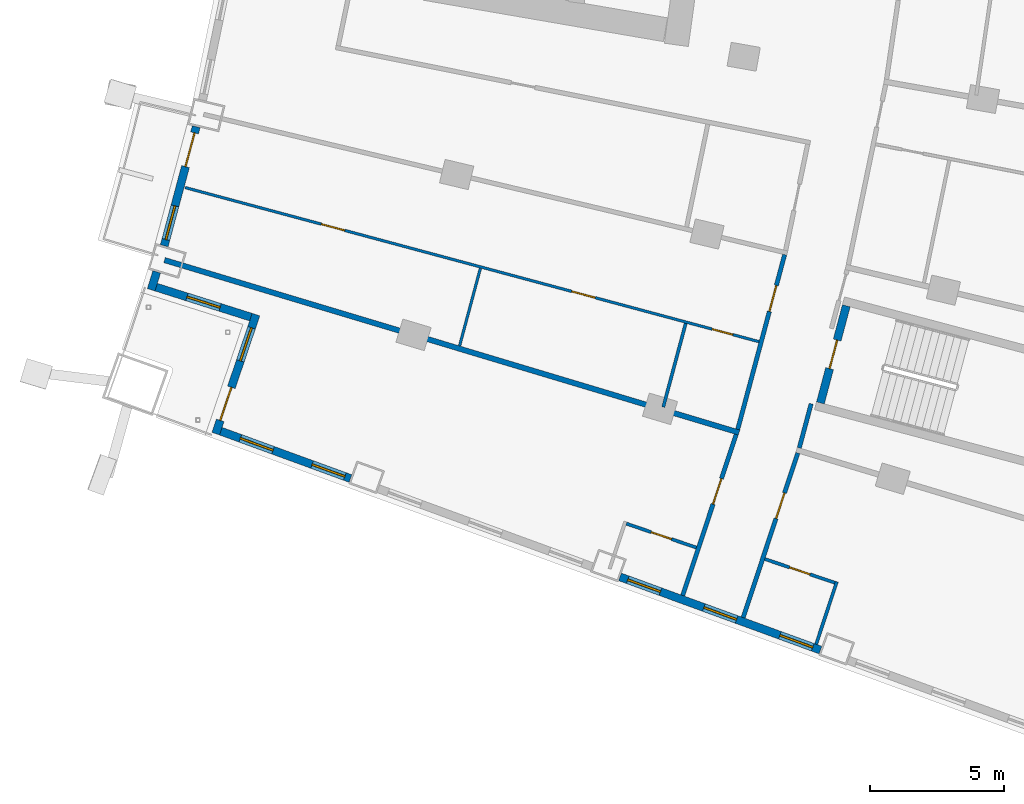
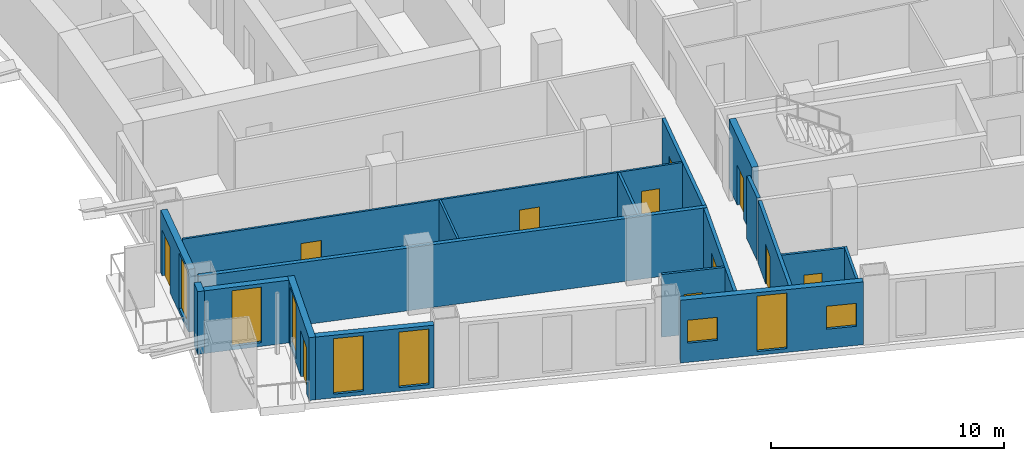
# One storey, part 10 of 22: 18 walls, 11 doors, 8 windows, 19 openings.
"""IFC4 building model written with IfcOpenShell, lengths in metres."""

import ifcopenshell
import ifcopenshell.guid

model = None  # the IFC model being written
_history = None  # IfcOwnerHistory: only IFC2X3 demands one
_inside = {}  # id of a spatial element -> (the spatial element, [elements in it])
_under = {}  # id of a project, library or spatial element -> (it, [spatial elements below it])
_declared = {}  # id of a project -> (the project, [libraries it declares])
_typed = {}  # id of a type object -> (the type object, [elements of that type])
_made_of = {}  # id of a material, layer set ... -> (it, [elements and type objects made of it])


def new_model(schema):
    """Start an empty IFC model of exactly this schema.

    Asked for "IFC4X3", IfcOpenShell would pick the latest addendum, in which some entities
    have other attributes; the version numbers below select the first issue.
    IFC2X3 requires an IfcOwnerHistory on every rooted entity: one is made here for all.
    """
    global model, _history
    if schema == "IFC4X3":
        model = ifcopenshell.file(schema_version=(4, 3, 0, 0))
    else:
        model = ifcopenshell.file(schema=schema)
    _inside.clear()
    _under.clear()
    _declared.clear()
    _typed.clear()
    _made_of.clear()
    _history = None
    if model.schema == "IFC2X3":
        org = make("IfcOrganization", Name="unknown")
        user = make(
            "IfcPersonAndOrganization",
            ThePerson=make("IfcPerson", FamilyName="unknown"),
            TheOrganization=org,
        )
        app = make(
            "IfcApplication",
            ApplicationDeveloper=org,
            Version="unknown",
            ApplicationFullName="unknown",
            ApplicationIdentifier="unknown",
        )
        _history = make(
            "IfcOwnerHistory",
            OwningUser=user,
            OwningApplication=app,
            ChangeAction="ADDED",
            CreationDate=0,
        )
    return model


def make(cls, **values):
    """One entity of the class cls with the attributes given. An attribute that is None is left unset."""
    return model.create_entity(
        cls, **{name: value for name, value in values.items() if value is not None}
    )


def rooted(cls, **values):
    """An entity with a GlobalId (a new one), such as an element, a storey or a relation."""
    return make(cls, GlobalId=ifcopenshell.guid.new(), OwnerHistory=_history, **values)


def si_unit(unit_type, name, prefix=None):
    """IfcSIUnit, for example si_unit("LENGTHUNIT", "METRE", prefix="MILLI")."""
    return make("IfcSIUnit", UnitType=unit_type, Prefix=prefix, Name=name)


def assignment(units):
    """IfcUnitAssignment: the units of a project."""
    return None if units is None else make("IfcUnitAssignment", Units=units)


def point(xyz):
    """IfcCartesianPoint."""
    return None if xyz is None else make("IfcCartesianPoint", Coordinates=xyz)


def direction(xyz):
    """IfcDirection."""
    return None if xyz is None else make("IfcDirection", DirectionRatios=xyz)


def frame(location, z_axis=None, x_axis=None):
    """IfcAxis2Placement3D, a coordinate frame: its origin and axes. An axis left out is left unset."""
    return make(
        "IfcAxis2Placement3D",
        Location=point(location),
        Axis=direction(z_axis),
        RefDirection=direction(x_axis),
    )


def frame_2d(location, x_axis=None):
    """IfcAxis2Placement2D, a coordinate frame in the plane: its origin and x axis."""
    return make(
        "IfcAxis2Placement2D", Location=point(location), RefDirection=direction(x_axis)
    )


def origin():
    """The frame at (0, 0, 0) with its axes left unset."""
    return frame((0.0, 0.0, 0.0))


def place(relative_to, where):
    """IfcLocalPlacement: puts the frame where relative to a parent placement (None: the world)."""
    return make(
        "IfcLocalPlacement", PlacementRelTo=relative_to, RelativePlacement=where
    )


def context(
    kind, dimensions, precision=None, world=None, true_north=None, identifier=None
):
    """IfcGeometricRepresentationContext, for example the 3D "Model" context."""
    return make(
        "IfcGeometricRepresentationContext",
        ContextIdentifier=identifier,
        ContextType=kind,
        CoordinateSpaceDimension=dimensions,
        Precision=precision,
        WorldCoordinateSystem=world,
        TrueNorth=true_north,
    )


def subcontext(parent, identifier, kind, view, scale=None):
    """IfcGeometricRepresentationSubContext, for example "Body" below "Model"."""
    return make(
        "IfcGeometricRepresentationSubContext",
        ContextIdentifier=identifier,
        ContextType=kind,
        ParentContext=parent,
        TargetScale=scale,
        TargetView=view,
    )


def project(units=None, contexts=None):
    """IfcProject with its units and contexts."""
    return rooted(
        "IfcProject",
        Name="project",
        RepresentationContexts=contexts,
        UnitsInContext=assignment(units),
    )


def spatial(cls, under=None, at=None, **own):
    """A site, building, storey or space (cls), placed at a placement, below another one or the project."""
    s = rooted(cls, ObjectPlacement=at, **own)
    if under is not None:
        _under.setdefault(under.id(), (under, []))[1].append(s)
    return s


def profile(cls, at=None, kind="AREA", **sizes):
    """A parametric profile (cls). Its sizes go by their IFC names, for example OverallWidth=200.0."""
    return make(cls, ProfileType=kind, Position=at, **sizes)


def rectangle(**sizes):
    """IfcRectangleProfileDef."""
    return profile("IfcRectangleProfileDef", **sizes)


def extrude(swept, where, along, depth):
    """IfcExtrudedAreaSolid: the profile swept, set in the frame where, extruded along a direction by depth."""
    return make(
        "IfcExtrudedAreaSolid",
        SweptArea=swept,
        Position=where,
        ExtrudedDirection=direction(along),
        Depth=depth,
    )


def shape(context_of_items, identifier, shape_type, items):
    """IfcShapeRepresentation: the items that make up one representation, for example the "Body"."""
    return make(
        "IfcShapeRepresentation",
        ContextOfItems=context_of_items,
        RepresentationIdentifier=identifier,
        RepresentationType=shape_type,
        Items=items,
    )


def material(Name=None, Category=None):
    """IfcMaterial."""
    return make("IfcMaterial", Name=Name, Category=Category)


def layer(
    of_material, thickness, ventilated=None, Name=None, Category=None, Priority=None
):
    """IfcMaterialLayer: one layer of a wall or slab, of a material (None: an air gap)."""
    return make(
        "IfcMaterialLayer",
        Material=of_material,
        LayerThickness=thickness,
        IsVentilated=ventilated,
        Name=Name,
        Category=Category,
        Priority=Priority,
    )


def layer_set(layers, Name=None):
    """IfcMaterialLayerSet."""
    return make("IfcMaterialLayerSet", MaterialLayers=layers, LayerSetName=Name)


def made_of(thing, what):
    """Note that an element or type object is made of a material, layer set ...; save() writes the relation."""
    if what is not None:
        _made_of.setdefault(what.id(), (what, []))[1].append(thing)
    return thing


def type_object(cls, material=None, **own):
    """A type object (cls), such as IfcWallType, which elements share."""
    return made_of(rooted(cls, **own), material)


def element(
    cls,
    number,
    at=None,
    inside=None,
    cuts=None,
    type_object=None,
    material=None,
    context=None,
    identifier="Body",
    shape_type=None,
    held_by="IfcProductDefinitionShape",
    body=None,
    shapes=None,
    **own,
):
    """One element of the class cls, such as IfcWall. Its Tag is "e" and its number.

    at: its placement. inside: the storey or other place that contains it. cuts: it is an
    opening in that element (IfcRelVoidsElement). A single representation is given by context,
    identifier, shape_type and body (its items); several are given by shapes. held_by: the class
    of the entity that holds the representations. save() writes the other relations.
    """
    e = rooted(cls, Tag="e%d" % number, ObjectPlacement=at, **own)
    if body is not None:
        shapes = [shape(context, identifier, shape_type, body)]
    if shapes is not None:
        e.Representation = make(held_by, Representations=shapes)
    if inside is not None:
        _inside.setdefault(inside.id(), (inside, []))[1].append(e)
    if cuts is not None:
        rooted(
            "IfcRelVoidsElement", RelatingBuildingElement=cuts, RelatedOpeningElement=e
        )
    if type_object is not None:
        _typed.setdefault(type_object.id(), (type_object, []))[1].append(e)
    return made_of(e, material)


def fill(opening, filler):
    """IfcRelFillsElement: the door or window that sits in an opening."""
    return rooted(
        "IfcRelFillsElement",
        RelatingOpeningElement=opening,
        RelatedBuildingElement=filler,
    )


def aggregate(whole, parts):
    """IfcRelAggregates: a whole, such as a stair, and the parts it consists of."""
    return rooted("IfcRelAggregates", RelatingObject=whole, RelatedObjects=parts)


def save(model, path):
    """Write the relations noted so far, then the file.

    IfcRelAggregates (storeys below a building ...), IfcRelContainedInSpatialStructure (elements
    in a storey), IfcRelDefinesByType, IfcRelAssociatesMaterial and IfcRelDeclares: one each for
    every whole, place, type object, material and project.
    """
    for whole, parts in _under.values():
        aggregate(whole, parts)
    for where, things in _inside.values():
        rooted(
            "IfcRelContainedInSpatialStructure",
            RelatedElements=things,
            RelatingStructure=where,
        )
    for kind, things in _typed.values():
        rooted("IfcRelDefinesByType", RelatedObjects=things, RelatingType=kind)
    for what, things in _made_of.values():
        rooted("IfcRelAssociatesMaterial", RelatedObjects=things, RelatingMaterial=what)
    for by, libraries in _declared.values():
        rooted("IfcRelDeclares", RelatingContext=by, RelatedDefinitions=libraries)
    model.write(path)


model = new_model("IFC4")

# Units and contexts
model_context = context("Model", 3, precision=1e-05, world=origin(), true_north=direction((0.0, 1.0)))
body_context = subcontext(model_context, "Body", "Model", "MODEL_VIEW")
ifc_project = project(units=[si_unit("LENGTHUNIT", "METRE"), si_unit("AREAUNIT", "SQUARE_METRE"), si_unit("VOLUMEUNIT", "CUBIC_METRE"), si_unit("PLANEANGLEUNIT", "RADIAN"), si_unit("MASSUNIT", "GRAM", prefix="KILO")], contexts=[model_context])

# Site, building, storey
site_placement = place(None, origin())
site = spatial("IfcSite", under=ifc_project, at=site_placement, CompositionType="ELEMENT")
building_placement = place(site_placement, origin())
building = spatial("IfcBuilding", under=site, at=building_placement, Name="Alderwake Tower", CompositionType="ELEMENT")
storey_placement = place(building_placement, frame((0.0, 0.0, 50.0)))
storey = spatial("IfcBuildingStorey", under=building, at=storey_placement, Name="L11", CompositionType="ELEMENT", Elevation=50.0)

# Wall, opening, door
ifc_material_1 = material(Name="Concrete C70/85", Category="concrete")
ifc_layer_1 = layer(ifc_material_1, 0.300048828125)
ifc_layer_set_1 = layer_set([ifc_layer_1], Name="Core wall stair enclosure 300 C70-85")
wall_type_1 = type_object("IfcWallType", Name="Core wall stair enclosure 300 C70-85", PredefinedType="SHEAR", material=ifc_layer_set_1)
wall_1_placement = place(storey_placement, frame((36.89501953125, 27.923828125, 0.0), z_axis=(0.0, 0.0, 1.0), x_axis=(0.257350630826, 0.966318090907, 0.0)))
wall_1 = element("IfcWall", 1, at=wall_1_placement, inside=storey, type_object=wall_type_1, Name="Core wall CW.087", PredefinedType="SHEAR", context=body_context, shape_type="SweptSolid", body=[
    extrude(rectangle(XDim=3.75, YDim=0.300048828125, at=frame_2d((1.875, 0.0))), origin(), (0.0, 0.0, 1.0), 3.60009765625),
])
opening_1_placement = place(wall_1_placement, frame((1.324951171875, 0.0, 0.0)))
opening_1 = element("IfcOpeningElement", 2, at=opening_1_placement, cuts=wall_1, Name="Opening C065", PredefinedType="OPENING", context=body_context, shape_type="SweptSolid", body=[
    extrude(rectangle(XDim=1.10009765625, YDim=2.10009765625, at=frame_2d((0.550048828125, 1.050048828125))), frame((0.0, 0.159912109375, 0.0), z_axis=(0.0, -1.0, 0.0), x_axis=(1.0, 0.0, 0.0)), (0.0, 0.0, 1.0), 0.320068359375),
])
ifc_material_2 = material(Name="Steel-framed fire door leaf", Category="steel")
door_type_1 = type_object("IfcDoorType", Name="Core stair door 1100 fire-rated", OperationType="SINGLE_SWING_LEFT", PredefinedType="DOOR", material=ifc_material_2)
door_1_placement = place(opening_1_placement, origin())
door_1 = element("IfcDoor", 3, at=door_1_placement, inside=storey, type_object=door_type_1, Name="Stair door", OperationType="SINGLE_SWING_LEFT", OverallHeight=2.10009765625, OverallWidth=1.10009765625, PredefinedType="DOOR", context=body_context, shape_type="SweptSolid", body=[
    extrude(rectangle(XDim=1.10009765625, YDim=2.10009765625, at=frame_2d((0.550048828125, 1.050048828125))), frame((0.0, 0.02490234375, 0.0), z_axis=(0.0, -1.0, 0.0), x_axis=(1.0, 0.0, 0.0)), (0.0, 0.0, 1.0), 0.050048828125),
])
fill(opening_1, door_1)

ifc_material_3 = material(Name="Gypsum board on metal studs, rated")
ifc_layer_2 = layer(ifc_material_3, 0.159912109375)
ifc_layer_set_2 = layer_set([ifc_layer_2], Name="Corridor wall 160")
wall_type_2 = type_object("IfcWallType", Name="Corridor wall 160", PredefinedType="PARTITIONING", material=ifc_layer_set_2)
wall_2_placement = place(storey_placement, frame((31.7548828125, 20.739013671875, 0.0), z_axis=(0.0, 0.0, 1.0), x_axis=(0.31554473692, 0.948910701279, 0.0)))
wall_2 = element("IfcWall", 4, at=wall_2_placement, inside=storey, type_object=wall_type_2, Name="WL/L11/W19", PredefinedType="PARTITIONING", context=body_context, shape_type="SweptSolid", body=[
    extrude(rectangle(XDim=6.327392578125, YDim=0.159912109375, at=frame_2d((3.16357421875, 0.0))), origin(), (0.0, 0.0, 1.0), 3.280029296875),
])
opening_2_placement = place(wall_2_placement, frame((3.59130859375, 0.0, 0.0)))
opening_2 = element("IfcOpeningElement", 5, at=opening_2_placement, cuts=wall_2, Name="Opening R02-U11.1", PredefinedType="OPENING", context=body_context, shape_type="SweptSolid", body=[
    extrude(rectangle(XDim=1.0, YDim=2.10009765625, at=frame_2d((0.5, 1.050048828125))), frame((0.0, 0.08984375, 0.0), z_axis=(0.0, -1.0, 0.0), x_axis=(1.0, 0.0, 0.0)), (0.0, 0.0, 1.0), 0.179931640625),
])
ifc_material_4 = material(Name="Solid timber leaf in steel frame", Category="steel")
door_type_2 = type_object("IfcDoorType", Name="Flat entrance door 1000 fire-rated", OperationType="SINGLE_SWING_LEFT", PredefinedType="DOOR", material=ifc_material_4)
door_2_placement = place(opening_2_placement, origin())
door_2 = element("IfcDoor", 6, at=door_2_placement, inside=storey, type_object=door_type_2, Name="DR/L11/U11.1", OperationType="SINGLE_SWING_LEFT", OverallHeight=2.10009765625, OverallWidth=1.0, PredefinedType="DOOR", context=body_context, shape_type="SweptSolid", body=[
    extrude(rectangle(XDim=1.0, YDim=2.10009765625, at=frame_2d((0.5, 1.050048828125))), frame((0.0, 0.02490234375, 0.0), z_axis=(0.0, -1.0, 0.0), x_axis=(1.0, 0.0, 0.0)), (0.0, 0.0, 1.0), 0.050048828125),
])
fill(opening_2, door_2)

wall_3_placement = place(storey_placement, frame((33.808837890625, 26.9345703125, 0.0), z_axis=(0.0, 0.0, 1.0), x_axis=(0.259298911818, 0.965797118618, 0.0)))
wall_3 = element("IfcWall", 7, at=wall_3_placement, inside=storey, type_object=wall_type_2, Name="WL/L11/W20", PredefinedType="PARTITIONING", context=body_context, shape_type="SweptSolid", body=[
    extrude(rectangle(XDim=6.75, YDim=0.159912109375, at=frame_2d((3.375, 0.0))), origin(), (0.0, 0.0, 1.0), 3.280029296875),
])
opening_3_placement = place(wall_3_placement, frame((4.5576171875, 0.0, 0.0)))
opening_3 = element("IfcOpeningElement", 8, at=opening_3_placement, cuts=wall_3, Name="Opening R02-U12.2", PredefinedType="OPENING", context=body_context, shape_type="SweptSolid", body=[
    extrude(rectangle(XDim=1.0, YDim=2.10009765625, at=frame_2d((0.5, 1.050048828125))), frame((0.0, 0.08984375, 0.0), z_axis=(0.0, -1.0, 0.0), x_axis=(1.0, 0.0, 0.0)), (0.0, 0.0, 1.0), 0.179931640625),
])
door_3_placement = place(opening_3_placement, origin())
door_3 = element("IfcDoor", 9, at=door_3_placement, inside=storey, type_object=door_type_2, Name="DR/L11/U12.2", OperationType="SINGLE_SWING_LEFT", OverallHeight=2.10009765625, OverallWidth=1.0, PredefinedType="DOOR", context=body_context, shape_type="SweptSolid", body=[
    extrude(rectangle(XDim=1.0, YDim=2.10009765625, at=frame_2d((0.5, 1.050048828125))), frame((0.0, 0.02490234375, 0.0), z_axis=(0.0, -1.0, 0.0), x_axis=(1.0, 0.0, 0.0)), (0.0, 0.0, 1.0), 0.050048828125),
])
fill(opening_3, door_3)

wall_4_placement = place(storey_placement, frame((36.049560546875, 26.052978515625, 0.0), z_axis=(0.0, 0.0, 1.0), x_axis=(-0.315151894598, -0.949041244273, 0.0)))
wall_4 = element("IfcWall", 10, at=wall_4_placement, inside=storey, type_object=wall_type_2, Name="WL/L11/W22", PredefinedType="PARTITIONING", context=body_context, shape_type="SweptSolid", body=[
    extrude(rectangle(XDim=6.468505859375, YDim=0.159912109375, at=frame_2d((3.234375, 0.0))), origin(), (0.0, 0.0, 1.0), 3.280029296875),
])
opening_4_placement = place(wall_4_placement, frame((1.570068359375, 0.0, 0.0)))
opening_4 = element("IfcOpeningElement", 11, at=opening_4_placement, cuts=wall_4, Name="Opening R02-U03.1", PredefinedType="OPENING", context=body_context, shape_type="SweptSolid", body=[
    extrude(rectangle(XDim=1.0, YDim=2.10009765625, at=frame_2d((0.5, 1.050048828125))), frame((0.0, 0.08984375, 0.0), z_axis=(0.0, -1.0, 0.0), x_axis=(1.0, 0.0, 0.0)), (0.0, 0.0, 1.0), 0.179931640625),
])
door_4_placement = place(opening_4_placement, origin())
door_4 = element("IfcDoor", 12, at=door_4_placement, inside=storey, type_object=door_type_2, Name="DR/L11/U03.1", OperationType="SINGLE_SWING_LEFT", OverallHeight=2.10009765625, OverallWidth=1.0, PredefinedType="DOOR", context=body_context, shape_type="SweptSolid", body=[
    extrude(rectangle(XDim=1.0, YDim=2.10009765625, at=frame_2d((0.5, 1.050048828125))), frame((0.0, 0.02490234375, 0.0), z_axis=(0.0, -1.0, 0.0), x_axis=(1.0, 0.0, 0.0)), (0.0, 0.0, 1.0), 0.050048828125),
])
fill(opening_4, door_4)

# Walls
wall_5_placement = place(storey_placement, frame((36.10693359375, 26.24462890625, 0.0), z_axis=(0.0, 0.0, 1.0), x_axis=(0.259346865847, 0.965784242559, 0.0)))
element("IfcWall", 13, at=wall_5_placement, inside=storey, type_object=wall_type_2, Name="WL/L11/W25", PredefinedType="PARTITIONING", context=body_context, shape_type="SweptSolid", body=[
    extrude(rectangle(XDim=1.704833984375, YDim=0.159912109375, at=frame_2d((0.8525390625, 0.0))), origin(), (0.0, 0.0, 1.0), 3.280029296875),
])
ifc_material_5 = material(Name="Precast concrete C50/60 spandrel panel", Category="concrete")
ifc_layer_3 = layer(ifc_material_5, 0.300048828125)
ifc_layer_set_3 = layer_set([ifc_layer_3], Name="External wall EW1 Precast concrete C50/60 spandrel")
wall_type_3 = type_object("IfcWallType", Name="External wall EW1 Precast concrete C50/60 spandrel", PredefinedType="SOLIDWALL", material=ifc_layer_set_3)
wall_6_placement = place(storey_placement, frame((12.1328125, 32.814453125, 0.0), z_axis=(0.0, 0.0, 1.0), x_axis=(-0.294671831364, -0.955598509731, 0.0)))
element("IfcWall", 14, at=wall_6_placement, inside=storey, type_object=wall_type_3, Name="External wall 1", PredefinedType="SOLIDWALL", context=body_context, shape_type="SweptSolid", body=[
    extrude(rectangle(XDim=0.70263671875, YDim=0.300048828125, at=frame_2d((0.351318359375, 0.0))), origin(), (0.0, 0.0, 1.0), 3.280029296875),
])

# Wall, openings, door, window
wall_7_placement = place(storey_placement, frame((13.606689453125, 38.229248046875, 0.0), z_axis=(0.0, 0.0, 1.0), x_axis=(-0.259495671332, -0.965744270788, 0.0)))
wall_7 = element("IfcWall", 15, at=wall_7_placement, inside=storey, type_object=wall_type_3, Name="External wall 36", PredefinedType="SOLIDWALL", context=body_context, shape_type="SweptSolid", body=[
    extrude(rectangle(XDim=4.599609375, YDim=0.300048828125, at=frame_2d((2.2998046875, 0.0))), origin(), (0.0, 0.0, 1.0), 3.280029296875),
])
opening_5_placement = place(wall_7_placement, frame((0.2412109375, 0.0, 0.0)))
opening_5 = element("IfcOpeningElement", 16, at=opening_5_placement, cuts=wall_7, Name="Opening D16", PredefinedType="OPENING", context=body_context, shape_type="SweptSolid", body=[
    extrude(rectangle(XDim=1.300048828125, YDim=2.39990234375, at=frame_2d((0.64990234375, 1.199951171875))), frame((0.0, 0.159912109375, 0.0), z_axis=(0.0, -1.0, 0.0), x_axis=(1.0, 0.0, 0.0)), (0.0, 0.0, 1.0), 0.320068359375),
])
opening_6_placement = place(wall_7_placement, frame((3.058349609375, 0.0, 0.199951171875)))
opening_6 = element("IfcOpeningElement", 17, at=opening_6_placement, cuts=wall_7, Name="Opening W1", PredefinedType="OPENING", context=body_context, shape_type="SweptSolid", body=[
    extrude(rectangle(XDim=1.300048828125, YDim=2.89990234375, at=frame_2d((0.64990234375, 1.449951171875))), frame((0.0, 0.159912109375, 0.0), z_axis=(0.0, -1.0, 0.0), x_axis=(1.0, 0.0, 0.0)), (0.0, 0.0, 1.0), 0.320068359375),
])
ifc_material_6 = material(Name="Bronze tinted glass in aluminium frame", Category="aluminium")
door_type_3 = type_object("IfcDoorType", Name="Balcony door BD sliding", OperationType="SLIDING_TO_LEFT", PredefinedType="DOOR", material=ifc_material_6)
door_5_placement = place(opening_5_placement, origin())
door_5 = element("IfcDoor", 18, at=door_5_placement, inside=storey, type_object=door_type_3, Name="Door D16", OperationType="SLIDING_TO_LEFT", OverallHeight=2.39990234375, OverallWidth=1.300048828125, PredefinedType="DOOR", context=body_context, shape_type="SweptSolid", body=[
    extrude(rectangle(XDim=1.300048828125, YDim=2.39990234375, at=frame_2d((0.64990234375, 1.199951171875))), frame((0.0, 0.02490234375, 0.0), z_axis=(0.0, -1.0, 0.0), x_axis=(1.0, 0.0, 0.0)), (0.0, 0.0, 1.0), 0.050048828125),
])
fill(opening_5, door_5)
ifc_material_7 = material(Name="Bronze tinted glass in aluminium frame", Category="aluminium")
window_type_1 = type_object("IfcWindowType", Name="Window W1 tall fixed and vent", PartitioningType="DOUBLE_PANEL_VERTICAL", PredefinedType="WINDOW", material=ifc_material_7)
window_1_placement = place(opening_6_placement, origin())
window_1 = element("IfcWindow", 19, at=window_1_placement, inside=storey, type_object=window_type_1, Name="Window W1 tall fixed and vent", OverallHeight=2.89990234375, OverallWidth=1.300048828125, PartitioningType="DOUBLE_PANEL_VERTICAL", PredefinedType="WINDOW", context=body_context, shape_type="SweptSolid", body=[
    extrude(rectangle(XDim=1.300048828125, YDim=2.89990234375, at=frame_2d((0.64990234375, 1.449951171875))), frame((0.0, 0.030029296875, 0.0), z_axis=(0.0, -1.0, 0.0), x_axis=(1.0, 0.0, 0.0)), (0.0, 0.0, 1.0), 0.06005859375),
])
fill(opening_6, window_1)

# Wall, opening, window
ifc_material_8 = material(Name="Bronze metal cladding on lightweight framing")
ifc_layer_4 = layer(ifc_material_8, 0.300048828125)
ifc_layer_set_4 = layer_set([ifc_layer_4], Name="External wall EW2 bronze metal cladding")
wall_type_4 = type_object("IfcWallType", Name="External wall EW2 bronze metal cladding", PredefinedType="SOLIDWALL", material=ifc_layer_set_4)
wall_8_placement = place(storey_placement, frame((12.113037109375, 32.2412109375, 0.0), z_axis=(0.0, 0.0, 1.0), x_axis=(0.953458128271, -0.301525451054, 0.0)))
wall_8 = element("IfcWall", 20, at=wall_8_placement, inside=storey, type_object=wall_type_4, Name="External wall 2", PredefinedType="SOLIDWALL", context=body_context, shape_type="SweptSolid", body=[
    extrude(rectangle(XDim=3.705810546875, YDim=0.300048828125, at=frame_2d((1.85302734375, 0.0))), origin(), (0.0, 0.0, 1.0), 3.280029296875),
])
opening_7_placement = place(wall_8_placement, frame((1.202880859375, 0.0, 0.199951171875)))
opening_7 = element("IfcOpeningElement", 21, at=opening_7_placement, cuts=wall_8, Name="Opening W1", PredefinedType="OPENING", context=body_context, shape_type="SweptSolid", body=[
    extrude(rectangle(XDim=1.300048828125, YDim=2.89990234375, at=frame_2d((0.64990234375, 1.449951171875))), frame((0.0, 0.159912109375, 0.0), z_axis=(0.0, -1.0, 0.0), x_axis=(1.0, 0.0, 0.0)), (0.0, 0.0, 1.0), 0.320068359375),
])
window_2_placement = place(opening_7_placement, origin())
window_2 = element("IfcWindow", 22, at=window_2_placement, inside=storey, type_object=window_type_1, Name="Window W1 tall fixed and vent", OverallHeight=2.89990234375, OverallWidth=1.300048828125, PartitioningType="DOUBLE_PANEL_VERTICAL", PredefinedType="WINDOW", context=body_context, shape_type="SweptSolid", body=[
    extrude(rectangle(XDim=1.300048828125, YDim=2.89990234375, at=frame_2d((0.64990234375, 1.449951171875))), frame((0.0, 0.030029296875, 0.0), z_axis=(0.0, -1.0, 0.0), x_axis=(1.0, 0.0, 0.0)), (0.0, 0.0, 1.0), 0.06005859375),
])
fill(opening_7, window_2)

# Wall, openings, door, window
wall_9_placement = place(storey_placement, frame((15.83740234375, 31.220703125, 0.0), z_axis=(0.0, 0.0, 1.0), x_axis=(-0.32041006121, -0.947278941324, 0.0)))
wall_9 = element("IfcWall", 23, at=wall_9_placement, inside=storey, type_object=wall_type_4, Name="External wall 3", PredefinedType="SOLIDWALL", context=body_context, shape_type="SweptSolid", body=[
    extrude(rectangle(XDim=4.68994140625, YDim=0.300048828125, at=frame_2d((2.344970703125, 0.0))), origin(), (0.0, 0.0, 1.0), 3.280029296875),
])
opening_8_placement = place(wall_9_placement, frame((0.5224609375, 0.0, 0.199951171875)))
opening_8 = element("IfcOpeningElement", 24, at=opening_8_placement, cuts=wall_9, Name="Opening W1", PredefinedType="OPENING", context=body_context, shape_type="SweptSolid", body=[
    extrude(rectangle(XDim=1.300048828125, YDim=2.89990234375, at=frame_2d((0.64990234375, 1.449951171875))), frame((0.0, 0.159912109375, 0.0), z_axis=(0.0, -1.0, 0.0), x_axis=(1.0, 0.0, 0.0)), (0.0, 0.0, 1.0), 0.320068359375),
])
opening_9_placement = place(wall_9_placement, frame((2.867431640625, 0.0, 0.0)))
opening_9 = element("IfcOpeningElement", 25, at=opening_9_placement, cuts=wall_9, Name="Opening D01", PredefinedType="OPENING", context=body_context, shape_type="SweptSolid", body=[
    extrude(rectangle(XDim=1.300048828125, YDim=2.39990234375, at=frame_2d((0.64990234375, 1.199951171875))), frame((0.0, 0.159912109375, 0.0), z_axis=(0.0, -1.0, 0.0), x_axis=(1.0, 0.0, 0.0)), (0.0, 0.0, 1.0), 0.320068359375),
])
door_6_placement = place(opening_9_placement, origin())
door_6 = element("IfcDoor", 26, at=door_6_placement, inside=storey, type_object=door_type_3, Name="Door D01", OperationType="SLIDING_TO_LEFT", OverallHeight=2.39990234375, OverallWidth=1.300048828125, PredefinedType="DOOR", context=body_context, shape_type="SweptSolid", body=[
    extrude(rectangle(XDim=1.300048828125, YDim=2.39990234375, at=frame_2d((0.64990234375, 1.199951171875))), frame((0.0, 0.02490234375, 0.0), z_axis=(0.0, -1.0, 0.0), x_axis=(1.0, 0.0, 0.0)), (0.0, 0.0, 1.0), 0.050048828125),
])
fill(opening_9, door_6)
window_3_placement = place(opening_8_placement, origin())
window_3 = element("IfcWindow", 27, at=window_3_placement, inside=storey, type_object=window_type_1, Name="Window W1 tall fixed and vent", OverallHeight=2.89990234375, OverallWidth=1.300048828125, PartitioningType="DOUBLE_PANEL_VERTICAL", PredefinedType="WINDOW", context=body_context, shape_type="SweptSolid", body=[
    extrude(rectangle(XDim=1.300048828125, YDim=2.89990234375, at=frame_2d((0.64990234375, 1.449951171875))), frame((0.0, 0.030029296875, 0.0), z_axis=(0.0, -1.0, 0.0), x_axis=(1.0, 0.0, 0.0)), (0.0, 0.0, 1.0), 0.06005859375),
])
fill(opening_8, window_3)

# Wall, openings, windows
wall_10_placement = place(storey_placement, frame((14.523681640625, 26.86865234375, 0.0), z_axis=(0.0, 0.0, 1.0), x_axis=(0.939371865822, -0.342900127883, 0.0)))
wall_10 = element("IfcWall", 28, at=wall_10_placement, inside=storey, type_object=wall_type_4, Name="External wall 4", PredefinedType="SOLIDWALL", context=body_context, shape_type="SweptSolid", body=[
    extrude(rectangle(XDim=5.149169921875, YDim=0.300048828125, at=frame_2d((2.57470703125, 0.0))), origin(), (0.0, 0.0, 1.0), 3.280029296875),
])
opening_10_placement = place(wall_10_placement, frame((0.775390625, 0.0, 0.199951171875)))
opening_10 = element("IfcOpeningElement", 29, at=opening_10_placement, cuts=wall_10, Name="Opening W1", PredefinedType="OPENING", context=body_context, shape_type="SweptSolid", body=[
    extrude(rectangle(XDim=1.300048828125, YDim=2.89990234375, at=frame_2d((0.64990234375, 1.449951171875))), frame((0.0, 0.159912109375, 0.0), z_axis=(0.0, -1.0, 0.0), x_axis=(1.0, 0.0, 0.0)), (0.0, 0.0, 1.0), 0.320068359375),
])
opening_11_placement = place(wall_10_placement, frame((3.626220703125, 0.0, 0.199951171875)))
opening_11 = element("IfcOpeningElement", 30, at=opening_11_placement, cuts=wall_10, Name="Opening W1", PredefinedType="OPENING", context=body_context, shape_type="SweptSolid", body=[
    extrude(rectangle(XDim=1.300048828125, YDim=2.89990234375, at=frame_2d((0.64990234375, 1.449951171875))), frame((0.0, 0.159912109375, 0.0), z_axis=(0.0, -1.0, 0.0), x_axis=(1.0, 0.0, 0.0)), (0.0, 0.0, 1.0), 0.320068359375),
])
window_4_placement = place(opening_10_placement, origin())
window_4 = element("IfcWindow", 31, at=window_4_placement, inside=storey, type_object=window_type_1, Name="Window W1 tall fixed and vent", OverallHeight=2.89990234375, OverallWidth=1.300048828125, PartitioningType="DOUBLE_PANEL_VERTICAL", PredefinedType="WINDOW", context=body_context, shape_type="SweptSolid", body=[
    extrude(rectangle(XDim=1.300048828125, YDim=2.89990234375, at=frame_2d((0.64990234375, 1.449951171875))), frame((0.0, 0.030029296875, 0.0), z_axis=(0.0, -1.0, 0.0), x_axis=(1.0, 0.0, 0.0)), (0.0, 0.0, 1.0), 0.06005859375),
])
fill(opening_10, window_4)
window_5_placement = place(opening_11_placement, origin())
window_5 = element("IfcWindow", 32, at=window_5_placement, inside=storey, type_object=window_type_1, Name="Window W1 tall fixed and vent", OverallHeight=2.89990234375, OverallWidth=1.300048828125, PartitioningType="DOUBLE_PANEL_VERTICAL", PredefinedType="WINDOW", context=body_context, shape_type="SweptSolid", body=[
    extrude(rectangle(XDim=1.300048828125, YDim=2.89990234375, at=frame_2d((0.64990234375, 1.449951171875))), frame((0.0, 0.030029296875, 0.0), z_axis=(0.0, -1.0, 0.0), x_axis=(1.0, 0.0, 0.0)), (0.0, 0.0, 1.0), 0.06005859375),
])
fill(opening_11, window_5)

wall_11_placement = place(storey_placement, frame((29.416748046875, 21.432373046875, 0.0), z_axis=(0.0, 0.0, 1.0), x_axis=(0.93937644601, -0.342887580237, 0.0)))
wall_11 = element("IfcWall", 33, at=wall_11_placement, inside=storey, type_object=wall_type_4, Name="External wall 6", PredefinedType="SOLIDWALL", context=body_context, shape_type="SweptSolid", body=[
    extrude(rectangle(XDim=7.96240234375, YDim=0.300048828125, at=frame_2d((3.981201171875, 0.0))), origin(), (0.0, 0.0, 1.0), 3.280029296875),
])
opening_12_placement = place(wall_11_placement, frame((0.308837890625, 0.0, 1.0)))
opening_12 = element("IfcOpeningElement", 34, at=opening_12_placement, cuts=wall_11, Name="Opening W2", PredefinedType="OPENING", context=body_context, shape_type="SweptSolid", body=[
    extrude(rectangle(XDim=1.300048828125, YDim=1.199951171875, at=frame_2d((0.64990234375, 0.60009765625))), frame((0.0, 0.159912109375, 0.0), z_axis=(0.0, -1.0, 0.0), x_axis=(1.0, 0.0, 0.0)), (0.0, 0.0, 1.0), 0.320068359375),
])
opening_13_placement = place(wall_11_placement, frame((3.3310546875, 0.0, 0.199951171875)))
opening_13 = element("IfcOpeningElement", 35, at=opening_13_placement, cuts=wall_11, Name="Opening W1", PredefinedType="OPENING", context=body_context, shape_type="SweptSolid", body=[
    extrude(rectangle(XDim=1.300048828125, YDim=2.89990234375, at=frame_2d((0.64990234375, 1.449951171875))), frame((0.0, 0.159912109375, 0.0), z_axis=(0.0, -1.0, 0.0), x_axis=(1.0, 0.0, 0.0)), (0.0, 0.0, 1.0), 0.320068359375),
])
opening_14_placement = place(wall_11_placement, frame((6.353515625, 0.0, 1.0)))
opening_14 = element("IfcOpeningElement", 36, at=opening_14_placement, cuts=wall_11, Name="Opening W2", PredefinedType="OPENING", context=body_context, shape_type="SweptSolid", body=[
    extrude(rectangle(XDim=1.300048828125, YDim=1.199951171875, at=frame_2d((0.64990234375, 0.60009765625))), frame((0.0, 0.159912109375, 0.0), z_axis=(0.0, -1.0, 0.0), x_axis=(1.0, 0.0, 0.0)), (0.0, 0.0, 1.0), 0.320068359375),
])
window_6_placement = place(opening_13_placement, origin())
window_6 = element("IfcWindow", 37, at=window_6_placement, inside=storey, type_object=window_type_1, Name="Window W1 tall fixed and vent", OverallHeight=2.89990234375, OverallWidth=1.300048828125, PartitioningType="DOUBLE_PANEL_VERTICAL", PredefinedType="WINDOW", context=body_context, shape_type="SweptSolid", body=[
    extrude(rectangle(XDim=1.300048828125, YDim=2.89990234375, at=frame_2d((0.64990234375, 1.449951171875))), frame((0.0, 0.030029296875, 0.0), z_axis=(0.0, -1.0, 0.0), x_axis=(1.0, 0.0, 0.0)), (0.0, 0.0, 1.0), 0.06005859375),
])
fill(opening_13, window_6)
ifc_material_9 = material(Name="Bronze tinted glass in aluminium frame", Category="aluminium")
window_type_2 = type_object("IfcWindowType", Name="Window W2 kitchen and bath", PartitioningType="SINGLE_PANEL", PredefinedType="WINDOW", material=ifc_material_9)
window_7_placement = place(opening_12_placement, origin())
window_7 = element("IfcWindow", 38, at=window_7_placement, inside=storey, type_object=window_type_2, Name="Window W2 kitchen and bath", OverallHeight=1.199951171875, OverallWidth=1.300048828125, PartitioningType="SINGLE_PANEL", PredefinedType="WINDOW", context=body_context, shape_type="SweptSolid", body=[
    extrude(rectangle(XDim=1.300048828125, YDim=1.199951171875, at=frame_2d((0.64990234375, 0.60009765625))), frame((0.0, 0.030029296875, 0.0), z_axis=(0.0, -1.0, 0.0), x_axis=(1.0, 0.0, 0.0)), (0.0, 0.0, 1.0), 0.06005859375),
])
fill(opening_12, window_7)
window_8_placement = place(opening_14_placement, origin())
window_8 = element("IfcWindow", 39, at=window_8_placement, inside=storey, type_object=window_type_2, Name="Window W2 kitchen and bath", OverallHeight=1.199951171875, OverallWidth=1.300048828125, PartitioningType="SINGLE_PANEL", PredefinedType="WINDOW", context=body_context, shape_type="SweptSolid", body=[
    extrude(rectangle(XDim=1.300048828125, YDim=1.199951171875, at=frame_2d((0.64990234375, 0.60009765625))), frame((0.0, 0.030029296875, 0.0), z_axis=(0.0, -1.0, 0.0), x_axis=(1.0, 0.0, 0.0)), (0.0, 0.0, 1.0), 0.06005859375),
])
fill(opening_14, window_8)

# Wall
ifc_material_10 = material(Name="Dense block masonry wall", Category="masonry")
ifc_layer_5 = layer(ifc_material_10, 0.199951171875)
ifc_layer_set_5 = layer_set([ifc_layer_5], Name="Party wall 200")
wall_type_5 = type_object("IfcWallType", Name="Party wall 200", PredefinedType="SOLIDWALL", material=ifc_layer_set_5)
wall_12_placement = place(storey_placement, frame((33.859619140625, 26.81494140625, 0.0), z_axis=(0.0, 0.0, 1.0), x_axis=(-0.95775179957, 0.287596054251, 0.0)))
element("IfcWall", 40, at=wall_12_placement, inside=storey, type_object=wall_type_5, Name="WL/L11/W02", PredefinedType="SOLIDWALL", context=body_context, shape_type="SweptSolid", body=[
    extrude(rectangle(XDim=22.382080078125, YDim=0.199951171875, at=frame_2d((11.19091796875, 0.0))), origin(), (0.0, 0.0, 1.0), 3.280029296875),
])

# Wall, openings, doors
ifc_material_11 = material(Name="Gypsum board on metal studs")
ifc_layer_6 = layer(ifc_material_11, 0.10009765625)
ifc_layer_set_6 = layer_set([ifc_layer_6], Name="Unit partition 100")
wall_type_6 = type_object("IfcWallType", Name="Unit partition 100", PredefinedType="PARTITIONING", material=ifc_layer_set_6)
wall_13_placement = place(storey_placement, frame((34.605712890625, 30.206787109375, 0.0), z_axis=(0.0, 0.0, 1.0), x_axis=(-0.965767846078, 0.259407917152, 0.0)))
wall_13 = element("IfcWall", 41, at=wall_13_placement, inside=storey, type_object=wall_type_6, Name="WL/L11/W63", PredefinedType="PARTITIONING", context=body_context, shape_type="SweptSolid", body=[
    extrude(rectangle(XDim=22.170654296875, YDim=0.10009765625, at=frame_2d((11.08544921875, 0.0))), origin(), (0.0, 0.0, 1.0), 3.280029296875),
])
opening_15_placement = place(wall_13_placement, frame((6.335205078125, 0.0, 0.0)))
opening_15 = element("IfcOpeningElement", 42, at=opening_15_placement, cuts=wall_13, Name="Opening R02-U12.1", PredefinedType="OPENING", context=body_context, shape_type="SweptSolid", body=[
    extrude(rectangle(XDim=0.89990234375, YDim=2.10009765625, at=frame_2d((0.449951171875, 1.050048828125))), frame((0.0, 0.06005859375, 0.0), z_axis=(0.0, -1.0, 0.0), x_axis=(1.0, 0.0, 0.0)), (0.0, 0.0, 1.0), 0.1201171875),
])
opening_16_placement = place(wall_13_placement, frame((1.010009765625, 0.0, 0.0)))
opening_16 = element("IfcOpeningElement", 43, at=opening_16_placement, cuts=wall_13, Name="Opening R02-U12.3", PredefinedType="OPENING", context=body_context, shape_type="SweptSolid", body=[
    extrude(rectangle(XDim=0.800048828125, YDim=2.10009765625, at=frame_2d((0.39990234375, 1.050048828125))), frame((0.0, 0.06005859375, 0.0), z_axis=(0.0, -1.0, 0.0), x_axis=(1.0, 0.0, 0.0)), (0.0, 0.0, 1.0), 0.1201171875),
])
opening_17_placement = place(wall_13_placement, frame((16.010498046875, 0.0, 0.0)))
opening_17 = element("IfcOpeningElement", 44, at=opening_17_placement, cuts=wall_13, Name="Opening R02-U12.4", PredefinedType="OPENING", context=body_context, shape_type="SweptSolid", body=[
    extrude(rectangle(XDim=0.89990234375, YDim=2.10009765625, at=frame_2d((0.449951171875, 1.050048828125))), frame((0.0, 0.06005859375, 0.0), z_axis=(0.0, -1.0, 0.0), x_axis=(1.0, 0.0, 0.0)), (0.0, 0.0, 1.0), 0.1201171875),
])
ifc_material_12 = material(Name="Painted timber leaf", Category="wood")
door_type_4 = type_object("IfcDoorType", Name="Bathroom door 800", OperationType="SINGLE_SWING_LEFT", PredefinedType="DOOR", material=ifc_material_12)
door_7_placement = place(opening_16_placement, origin())
door_7 = element("IfcDoor", 45, at=door_7_placement, inside=storey, type_object=door_type_4, Name="DR/L11/U12.3", OperationType="SINGLE_SWING_LEFT", OverallHeight=2.10009765625, OverallWidth=0.800048828125, PredefinedType="DOOR", context=body_context, shape_type="SweptSolid", body=[
    extrude(rectangle(XDim=0.800048828125, YDim=2.10009765625, at=frame_2d((0.39990234375, 1.050048828125))), frame((0.0, 0.02490234375, 0.0), z_axis=(0.0, -1.0, 0.0), x_axis=(1.0, 0.0, 0.0)), (0.0, 0.0, 1.0), 0.050048828125),
])
fill(opening_16, door_7)
ifc_material_13 = material(Name="Painted timber leaf", Category="wood")
door_type_5 = type_object("IfcDoorType", Name="Room door 900", OperationType="SINGLE_SWING_LEFT", PredefinedType="DOOR", material=ifc_material_13)
door_8_placement = place(opening_15_placement, origin())
door_8 = element("IfcDoor", 46, at=door_8_placement, inside=storey, type_object=door_type_5, Name="DR/L11/U12.1", OperationType="SINGLE_SWING_LEFT", OverallHeight=2.10009765625, OverallWidth=0.89990234375, PredefinedType="DOOR", context=body_context, shape_type="SweptSolid", body=[
    extrude(rectangle(XDim=0.89990234375, YDim=2.10009765625, at=frame_2d((0.449951171875, 1.050048828125))), frame((0.0, 0.02490234375, 0.0), z_axis=(0.0, -1.0, 0.0), x_axis=(1.0, 0.0, 0.0)), (0.0, 0.0, 1.0), 0.050048828125),
])
fill(opening_15, door_8)
door_9_placement = place(opening_17_placement, origin())
door_9 = element("IfcDoor", 47, at=door_9_placement, inside=storey, type_object=door_type_5, Name="DR/L11/U12.4", OperationType="SINGLE_SWING_LEFT", OverallHeight=2.10009765625, OverallWidth=0.89990234375, PredefinedType="DOOR", context=body_context, shape_type="SweptSolid", body=[
    extrude(rectangle(XDim=0.89990234375, YDim=2.10009765625, at=frame_2d((0.449951171875, 1.050048828125))), frame((0.0, 0.02490234375, 0.0), z_axis=(0.0, -1.0, 0.0), x_axis=(1.0, 0.0, 0.0)), (0.0, 0.0, 1.0), 0.050048828125),
])
fill(opening_17, door_9)

# Walls
wall_14_placement = place(storey_placement, frame((24.208984375, 32.94580078125, 0.0), z_axis=(0.0, 0.0, 1.0), x_axis=(-0.259310212645, -0.965794084481, 0.0)))
element("IfcWall", 48, at=wall_14_placement, inside=storey, type_object=wall_type_6, Name="WL/L11/W65", PredefinedType="PARTITIONING", context=body_context, shape_type="SweptSolid", body=[
    extrude(rectangle(XDim=2.996826171875, YDim=0.10009765625, at=frame_2d((1.49853515625, 0.0))), origin(), (0.0, 0.0, 1.0), 3.280029296875),
])
ifc_material_14 = material(Name="Moisture resistant gypsum board on metal studs")
ifc_layer_7 = layer(ifc_material_14, 0.1201171875)
ifc_layer_set_7 = layer_set([ifc_layer_7], Name="Wet room partition 120")
wall_type_7 = type_object("IfcWallType", Name="Wet room partition 120", PredefinedType="PARTITIONING", material=ifc_layer_set_7)
wall_15_placement = place(storey_placement, frame((31.867919921875, 30.8876953125, 0.0), z_axis=(0.0, 0.0, 1.0), x_axis=(-0.259149206489, -0.96583729933, 0.0)))
element("IfcWall", 49, at=wall_15_placement, inside=storey, type_object=wall_type_7, Name="WL/L11/W45", PredefinedType="PARTITIONING", context=body_context, shape_type="SweptSolid", body=[
    extrude(rectangle(XDim=3.2294921875, YDim=0.1201171875, at=frame_2d((1.61474609375, 0.0))), origin(), (0.0, 0.0, 1.0), 3.280029296875),
])

# Wall, opening, door
wall_16_placement = place(storey_placement, frame((32.264404296875, 22.52587890625, 0.0), z_axis=(0.0, 0.0, 1.0), x_axis=(-0.946049080569, 0.324023358964, 0.0)))
wall_16 = element("IfcWall", 50, at=wall_16_placement, inside=storey, type_object=wall_type_7, Name="WL/L11/W46", PredefinedType="PARTITIONING", context=body_context, shape_type="SweptSolid", body=[
    extrude(rectangle(XDim=2.758544921875, YDim=0.1201171875, at=frame_2d((1.37939453125, 0.0))), origin(), (0.0, 0.0, 1.0), 3.280029296875),
])
opening_18_placement = place(wall_16_placement, frame((0.979248046875, 0.0, 0.0)))
opening_18 = element("IfcOpeningElement", 51, at=opening_18_placement, cuts=wall_16, Name="Opening R02-U11.2", PredefinedType="OPENING", context=body_context, shape_type="SweptSolid", body=[
    extrude(rectangle(XDim=0.800048828125, YDim=2.10009765625, at=frame_2d((0.39990234375, 1.050048828125))), frame((0.0, 0.070068359375, 0.0), z_axis=(0.0, -1.0, 0.0), x_axis=(1.0, 0.0, 0.0)), (0.0, 0.0, 1.0), 0.14013671875),
])
door_10_placement = place(opening_18_placement, origin())
door_10 = element("IfcDoor", 52, at=door_10_placement, inside=storey, type_object=door_type_4, Name="DR/L11/U11.2", OperationType="SINGLE_SWING_LEFT", OverallHeight=2.10009765625, OverallWidth=0.800048828125, PredefinedType="DOOR", context=body_context, shape_type="SweptSolid", body=[
    extrude(rectangle(XDim=0.800048828125, YDim=2.10009765625, at=frame_2d((0.39990234375, 1.050048828125))), frame((0.0, 0.02490234375, 0.0), z_axis=(0.0, -1.0, 0.0), x_axis=(1.0, 0.0, 0.0)), (0.0, 0.0, 1.0), 0.050048828125),
])
fill(opening_18, door_10)

# Wall
wall_17_placement = place(storey_placement, frame((36.735107421875, 18.9208984375, 0.0), z_axis=(0.0, 0.0, 1.0), x_axis=(0.314288281989, 0.949327591406, 0.0)))
element("IfcWall", 53, at=wall_17_placement, inside=storey, type_object=wall_type_7, Name="WL/L11/W48", PredefinedType="PARTITIONING", context=body_context, shape_type="SweptSolid", body=[
    extrude(rectangle(XDim=2.45556640625, YDim=0.1201171875, at=frame_2d((1.227783203125, 0.0))), origin(), (0.0, 0.0, 1.0), 3.280029296875),
])

# Wall, opening, door
wall_18_placement = place(storey_placement, frame((37.43115234375, 21.21435546875, 0.0), z_axis=(0.0, 0.0, 1.0), x_axis=(-0.947122883389, 0.320871070307, 0.0)))
wall_18 = element("IfcWall", 54, at=wall_18_placement, inside=storey, type_object=wall_type_7, Name="WL/L11/W49", PredefinedType="PARTITIONING", context=body_context, shape_type="SweptSolid", body=[
    extrude(rectangle(XDim=2.758056640625, YDim=0.1201171875, at=frame_2d((1.37890625, 0.0))), origin(), (0.0, 0.0, 1.0), 3.280029296875),
])
opening_19_placement = place(wall_18_placement, frame((0.97900390625, 0.0, 0.0)))
opening_19 = element("IfcOpeningElement", 55, at=opening_19_placement, cuts=wall_18, Name="Opening R02-U03.2", PredefinedType="OPENING", context=body_context, shape_type="SweptSolid", body=[
    extrude(rectangle(XDim=0.800048828125, YDim=2.10009765625, at=frame_2d((0.39990234375, 1.050048828125))), frame((0.0, 0.070068359375, 0.0), z_axis=(0.0, -1.0, 0.0), x_axis=(1.0, 0.0, 0.0)), (0.0, 0.0, 1.0), 0.14013671875),
])
door_11_placement = place(opening_19_placement, origin())
door_11 = element("IfcDoor", 56, at=door_11_placement, inside=storey, type_object=door_type_4, Name="DR/L11/U03.2", OperationType="SINGLE_SWING_LEFT", OverallHeight=2.10009765625, OverallWidth=0.800048828125, PredefinedType="DOOR", context=body_context, shape_type="SweptSolid", body=[
    extrude(rectangle(XDim=0.800048828125, YDim=2.10009765625, at=frame_2d((0.39990234375, 1.050048828125))), frame((0.0, 0.02490234375, 0.0), z_axis=(0.0, -1.0, 0.0), x_axis=(1.0, 0.0, 0.0)), (0.0, 0.0, 1.0), 0.050048828125),
])
fill(opening_19, door_11)

save(model, "model.ifc")
